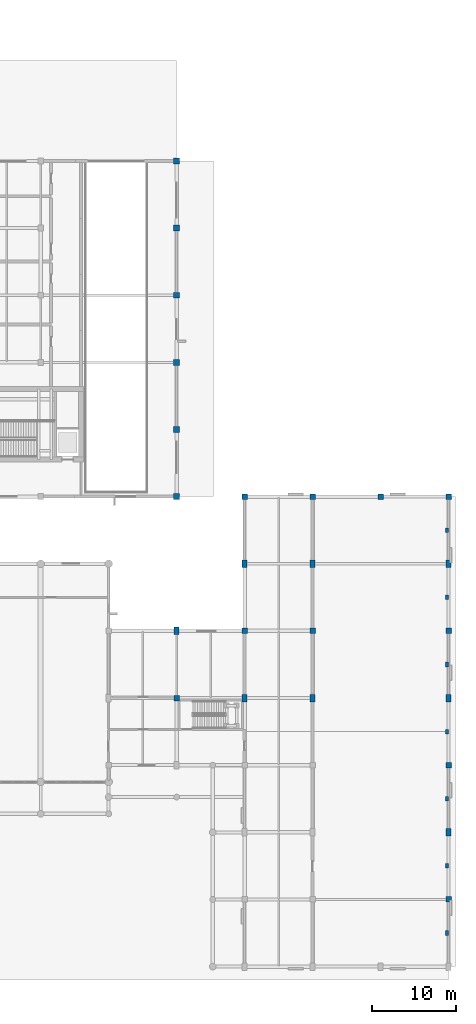
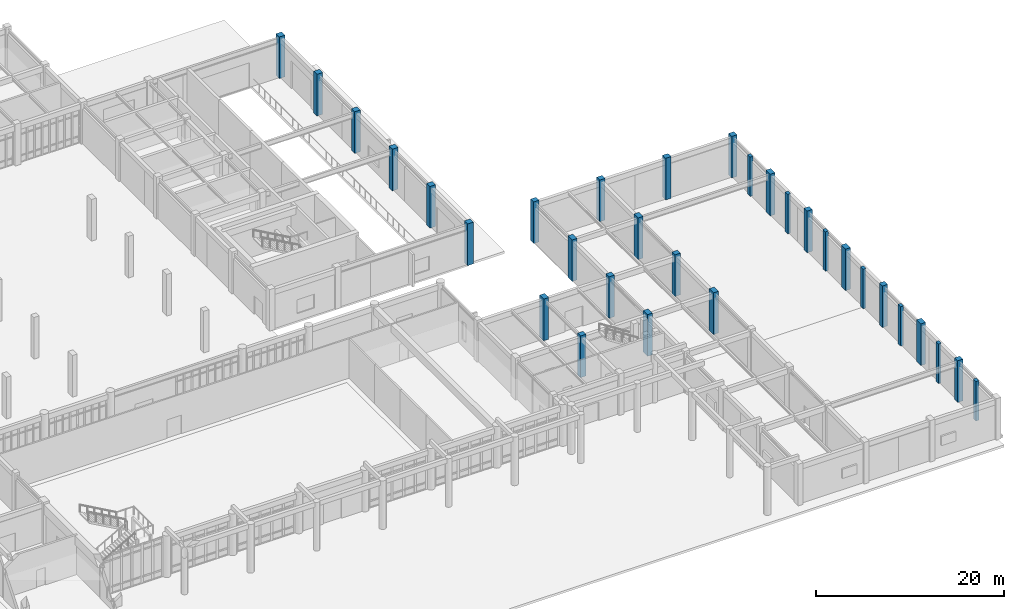
# One storey, part 4 of 62: 31 columns.
"""IFC4 building model written with IfcOpenShell, lengths in metres."""

from ifc_helpers import new_model, si_unit, direction, frame, origin, origin_2d, place, context, subcontext, project, spatial, rectangle, extrude, material, material_profile, profile_set, type_object, element, save


model = new_model("IFC4")

# Units and contexts
model_context = context("Model", 3, precision=1e-05, world=origin(), true_north=direction((0.0, 1.0)))
body_context = subcontext(model_context, "Body", "Model", "MODEL_VIEW")
ifc_project = project(units=[si_unit("LENGTHUNIT", "METRE"), si_unit("AREAUNIT", "SQUARE_METRE"), si_unit("VOLUMEUNIT", "CUBIC_METRE"), si_unit("PLANEANGLEUNIT", "RADIAN"), si_unit("MASSUNIT", "GRAM", prefix="KILO")], contexts=[model_context])

# Site, building, storey
site_placement = place(None, origin())
site = spatial("IfcSite", under=ifc_project, at=site_placement, CompositionType="ELEMENT")
building_placement = place(site_placement, origin())
building = spatial("IfcBuilding", under=site, at=building_placement, Name="Tarnveldt Square Police Headquarters", CompositionType="ELEMENT")
storey_placement = place(building_placement, origin())
storey = spatial("IfcBuildingStorey", under=building, at=storey_placement, Name="L00", CompositionType="ELEMENT", Elevation=0.0)

# Columns
ifc_material_1 = material(Name="Precast concrete 35 MPa", Category="concrete")
ifc_material_profile_1 = material_profile(ifc_material_1, rectangle(XDim=0.35009765625, YDim=0.550048828125, at=origin_2d()), Name="RC-PIL350x550")
ifc_profile_set_1 = profile_set([ifc_material_profile_1], Name="Precast concrete 35 MPa")
column_type_1 = type_object("IfcColumnType", Name="COL-PIL350x550", PredefinedType="PILASTER", material=ifc_profile_set_1)
for number, where, z_axis, x_axis, name in (
    (1, (161.820068359375, 4.0, 0.0), (0.0, 0.0, 1.0), (1.0, 0.0, 0.0), "L00 Engaged Brutalist Pilaster 1"),
    (2, (161.820068359375, 12.0, 0.0), (0.0, 0.0, 1.0), (1.0, 0.0, 0.0), "L00 Engaged Brutalist Pilaster 2"),
    (3, (161.820068359375, 20.0, 0.0), (0.0, 0.0, 1.0), (1.0, 0.0, 0.0), "L00 Engaged Brutalist Pilaster 3"),
    (4, (161.820068359375, 28.0, 0.0), (0.0, 0.0, 1.0), (1.0, 0.0, 0.0), "L00 Engaged Brutalist Pilaster 4"),
    (5, (161.820068359375, 36.0, 0.0), (0.0, 0.0, 1.0), (1.0, 0.0, 0.0), "L00 Engaged Brutalist Pilaster 5"),
    (6, (161.820068359375, 44.0, 0.0), (0.0, 0.0, 1.0), (1.0, 0.0, 0.0), "L00 Engaged Brutalist Pilaster 6"),
    (7, (161.820068359375, 52.0, 0.0), (0.0, 0.0, 1.0), (1.0, 0.0, 0.0), "L00 Engaged Brutalist Pilaster 7"),
):
    element("IfcColumn", number, at=place(storey_placement, frame(where, z_axis=z_axis, x_axis=x_axis)), inside=storey, type_object=column_type_1, Name=name, PredefinedType="PILASTER", context=body_context, shape_type="SweptSolid", body=[
        extrude(rectangle(XDim=0.35009765625, YDim=0.550048828125, at=origin_2d()), origin(), (0.0, 0.0, 1.0), 5.1201171875),
    ])
ifc_material_2 = material(Name="Concrete 50 MPa", Category="concrete")
ifc_material_profile_2 = material_profile(ifc_material_2, rectangle(XDim=0.60009765625, YDim=0.89990234375, at=origin_2d()), Name="RC-C600x900")
ifc_profile_set_2 = profile_set([ifc_material_profile_2], Name="Concrete 50 MPa")
column_type_2 = type_object("IfcColumnType", Name="COL-RC600x900", PredefinedType="COLUMN", material=ifc_profile_set_2)
for number, where, z_axis, x_axis, name in (
    (8, (129.60009765625, 40.0, 0.0), (0.0, 0.0, 1.0), (1.0, 0.0, 0.0), "L00 Column 171"),
    (9, (137.699951171875, 32.0, 0.0), (0.0, 0.0, 1.0), (1.0, 0.0, 0.0), "L00 Column 189"),
    (10, (137.699951171875, 48.0, 0.0), (0.0, 0.0, 1.0), (1.0, 0.0, 0.0), "L00 Column 191"),
    (11, (145.800048828125, 32.0, 0.0), (0.0, 0.0, 1.0), (1.0, 0.0, 0.0), "L00 Column 197"),
    (12, (145.800048828125, 48.0, 0.0), (0.0, 0.0, 1.0), (1.0, 0.0, 0.0), "L00 Column 199"),
    (13, (162.0, 16.0, 0.0), (0.0, 0.0, 1.0), (1.0, 0.0, 0.0), "L00 Column 205"),
    (14, (162.0, 32.0, 0.0), (0.0, 0.0, 1.0), (1.0, 0.0, 0.0), "L00 Column 207"),
    (15, (162.0, 48.0, 0.0), (0.0, 0.0, 1.0), (1.0, 0.0, 0.0), "L00 Column 209"),
):
    element("IfcColumn", number, at=place(storey_placement, frame(where, z_axis=z_axis, x_axis=x_axis)), inside=storey, type_object=column_type_2, Name=name, PredefinedType="COLUMN", context=body_context, shape_type="SweptSolid", body=[
        extrude(rectangle(XDim=0.60009765625, YDim=0.89990234375, at=origin_2d()), origin(), (0.0, 0.0, 1.0), 5.39990234375),
    ])
ifc_material_profile_3 = material_profile(ifc_material_2, rectangle(XDim=0.64990234375, YDim=0.64990234375, at=origin_2d()), Name="RC-C650x650")
ifc_profile_set_3 = profile_set([ifc_material_profile_3], Name="Concrete 50 MPa")
column_type_3 = type_object("IfcColumnType", Name="COL-RC650", PredefinedType="COLUMN", material=ifc_profile_set_3)
for number, where, z_axis, x_axis, name in (
    (16, (129.60009765625, 32.0, 0.0), (0.0, 0.0, 1.0), (1.0, 0.0, 0.0), "L00 Column 170"),
    (17, (137.699951171875, 40.0, 0.0), (0.0, 0.0, 1.0), (1.0, 0.0, 0.0), "L00 Column 190"),
    (18, (137.699951171875, 56.0, 0.0), (0.0, 0.0, 1.0), (1.0, 0.0, 0.0), "L00 Column 192"),
    (19, (145.800048828125, 40.0, 0.0), (0.0, 0.0, 1.0), (1.0, 0.0, 0.0), "L00 Column 198"),
    (20, (145.800048828125, 56.0, 0.0), (0.0, 0.0, 1.0), (1.0, 0.0, 0.0), "L00 Column 200"),
    (21, (153.89990234375, 56.0, 0.0), (0.0, 0.0, 1.0), (1.0, 0.0, 0.0), "L00 Column 202"),
    (22, (162.0, 8.0, 0.0), (0.0, 0.0, 1.0), (1.0, 0.0, 0.0), "L00 Column 204"),
    (23, (162.0, 24.0, 0.0), (0.0, 0.0, 1.0), (1.0, 0.0, 0.0), "L00 Column 206"),
    (24, (162.0, 40.0, 0.0), (0.0, 0.0, 1.0), (1.0, 0.0, 0.0), "L00 Column 208"),
    (25, (162.0, 56.0, 0.0), (0.0, 0.0, 1.0), (1.0, 0.0, 0.0), "L00 Column 210"),
):
    element("IfcColumn", number, at=place(storey_placement, frame(where, z_axis=z_axis, x_axis=x_axis)), inside=storey, type_object=column_type_3, Name=name, PredefinedType="COLUMN", context=body_context, shape_type="SweptSolid", body=[
        extrude(rectangle(XDim=0.64990234375, YDim=0.64990234375, at=origin_2d()), origin(), (0.0, 0.0, 1.0), 5.39990234375),
    ])
ifc_material_profile_4 = material_profile(ifc_material_2, rectangle(XDim=0.699951171875, YDim=0.699951171875, at=origin_2d()), Name="RC-C700x700")
ifc_profile_set_4 = profile_set([ifc_material_profile_4], Name="Concrete 50 MPa")
column_type_4 = type_object("IfcColumnType", Name="COL-RC700", PredefinedType="COLUMN", material=ifc_profile_set_4)
for number, where, z_axis, x_axis, name in (
    (26, (129.60009765625, 56.0, 0.0), (0.0, 0.0, 1.0), (1.0, 0.0, 0.0), "L00 Column 172"),
    (27, (129.60009765625, 64.0, 0.0), (0.0, 0.0, 1.0), (1.0, 0.0, 0.0), "L00 Column 173"),
    (28, (129.60009765625, 72.0, 0.0), (0.0, 0.0, 1.0), (1.0, 0.0, 0.0), "L00 Column 174"),
    (29, (129.60009765625, 80.0, 0.0), (0.0, 0.0, 1.0), (1.0, 0.0, 0.0), "L00 Column 175"),
    (30, (129.60009765625, 88.0, 0.0), (0.0, 0.0, 1.0), (1.0, 0.0, 0.0), "L00 Column 176"),
    (31, (129.60009765625, 96.0, 0.0), (0.0, 0.0, 1.0), (1.0, 0.0, 0.0), "L00 Column 177"),
):
    element("IfcColumn", number, at=place(storey_placement, frame(where, z_axis=z_axis, x_axis=x_axis)), inside=storey, type_object=column_type_4, Name=name, PredefinedType="COLUMN", context=body_context, shape_type="SweptSolid", body=[
        extrude(rectangle(XDim=0.699951171875, YDim=0.699951171875, at=origin_2d()), origin(), (0.0, 0.0, 1.0), 5.39990234375),
    ])

save(model, "model.ifc")
